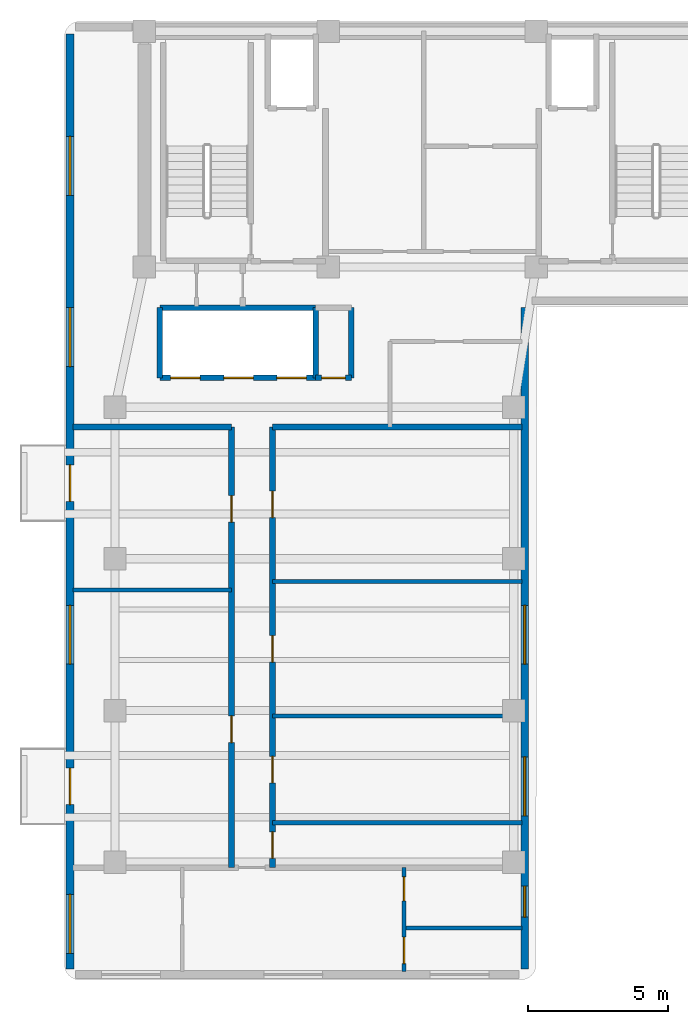
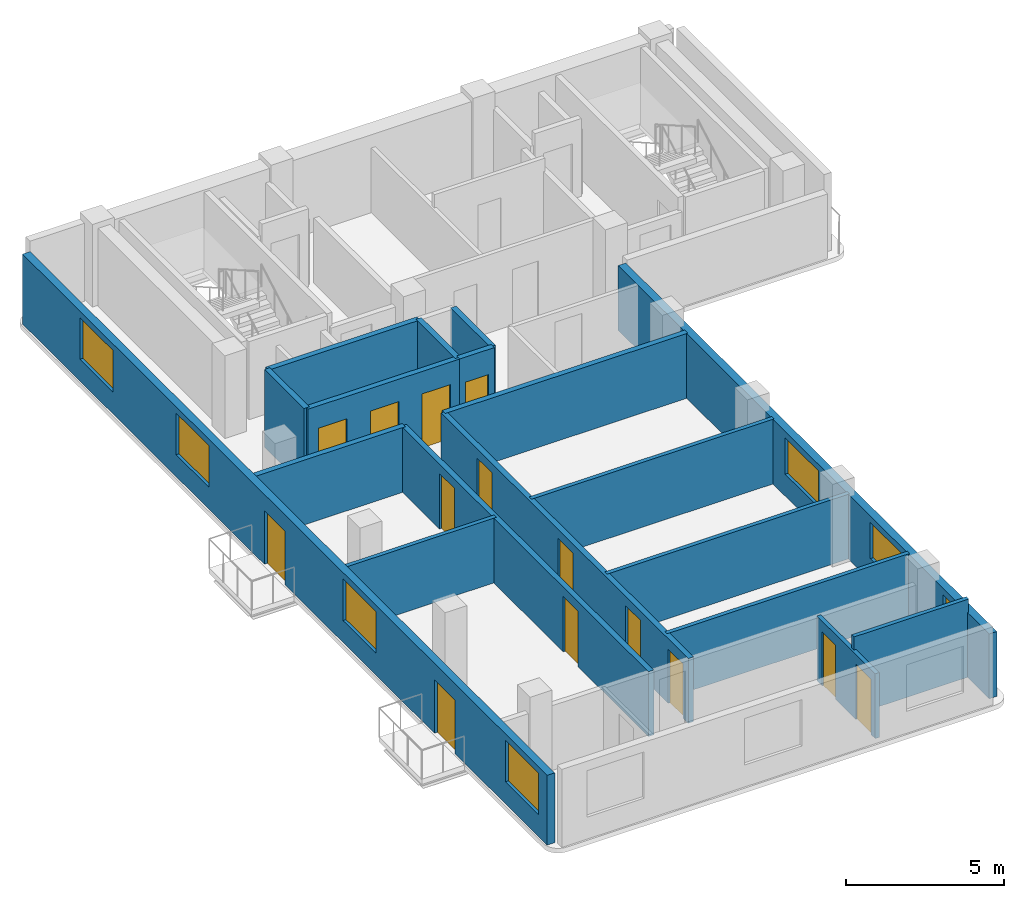
# One storey, part 2 of 6: 18 walls, 14 doors, 7 windows, 21 openings.
"""IFC4 building model written with IfcOpenShell, lengths in metres."""

from ifc_helpers import new_model, si_unit, direction, frame, frame_2d, origin, place, context, subcontext, project, spatial, rectangle, extrude, material, layer, layer_set, type_object, element, fill, save


model = new_model("IFC4")

# Units and contexts
model_context = context("Model", 3, precision=1e-05, world=origin(), true_north=direction((0.0, 1.0)))
body_context = subcontext(model_context, "Body", "Model", "MODEL_VIEW")
ifc_project = project(units=[si_unit("LENGTHUNIT", "METRE"), si_unit("AREAUNIT", "SQUARE_METRE"), si_unit("VOLUMEUNIT", "CUBIC_METRE"), si_unit("PLANEANGLEUNIT", "RADIAN"), si_unit("MASSUNIT", "GRAM", prefix="KILO")], contexts=[model_context])

# Site, building, storey
site_placement = place(None, origin())
site = spatial("IfcSite", under=ifc_project, at=site_placement, CompositionType="ELEMENT")
building_placement = place(site_placement, origin())
building = spatial("IfcBuilding", under=site, at=building_placement, Name="Kuzgunbayir Cultural Tower", CompositionType="ELEMENT")
storey_placement = place(building_placement, frame((0.0, 0.0, 221.60009765625)))
storey = spatial("IfcBuildingStorey", under=building, at=storey_placement, Name="L65", CompositionType="ELEMENT", Elevation=221.60009765625)

# Wall, openings, doors, windows
ifc_material_1 = material(Name="Anatolian Cream Limestone", Category="masonry")
ifc_layer_1 = layer(ifc_material_1, 0.280029296875)
ifc_layer_set_1 = layer_set([ifc_layer_1], Name="Anatolian Cream Limestone")
wall_type_1 = type_object("IfcWallType", Name="WAL-EXT-STONE-280", PredefinedType="STANDARD", material=ifc_layer_set_1)
wall_1_placement = place(storey_placement, frame((3.800048828125, 42.10009765625, 0.0), z_axis=(0.0, 0.0, 1.0), x_axis=(0.0, -1.0, 0.0)))
wall_1 = element("IfcWall", 1, at=wall_1_placement, inside=storey, type_object=wall_type_1, Name="L65 Wing A West Limestone Wall", PredefinedType="STANDARD", context=body_context, shape_type="SweptSolid", body=[
    extrude(rectangle(XDim=33.300048828125, YDim=0.280029296875, at=frame_2d((16.64990234375, 0.0))), origin(), (0.0, 0.0, 1.0), 2.7099609375),
])
opening_1_placement = place(wall_1_placement, frame((26.14990234375, 0.0, 0.0)))
opening_1 = element("IfcOpeningElement", 2, at=opening_1_placement, cuts=wall_1, Name="Opening BD-13", PredefinedType="OPENING", context=body_context, shape_type="SweptSolid", body=[
    extrude(rectangle(XDim=1.300048828125, YDim=2.080078125, at=frame_2d((0.64990234375, 1.0400390625))), frame((0.0, 0.14990234375, 0.0), z_axis=(0.0, -1.0, 0.0), x_axis=(1.0, 0.0, 0.0)), (0.0, 0.0, 1.0), 0.300048828125),
])
opening_2_placement = place(wall_1_placement, frame((15.35009765625, 0.0, 0.0)))
opening_2 = element("IfcOpeningElement", 3, at=opening_2_placement, cuts=wall_1, Name="Opening BD-13", PredefinedType="OPENING", context=body_context, shape_type="SweptSolid", body=[
    extrude(rectangle(XDim=1.300048828125, YDim=2.080078125, at=frame_2d((0.64990234375, 1.0400390625))), frame((0.0, 0.14990234375, 0.0), z_axis=(0.0, -1.0, 0.0), x_axis=(1.0, 0.0, 0.0)), (0.0, 0.0, 1.0), 0.300048828125),
])
opening_3_placement = place(wall_1_placement, frame((30.64990234375, 0.0, 0.85009765625)))
opening_3 = element("IfcOpeningElement", 4, at=opening_3_placement, cuts=wall_1, Name="Opening WR-21", PredefinedType="OPENING", context=body_context, shape_type="SweptSolid", body=[
    extrude(rectangle(XDim=2.10009765625, YDim=1.610107421875, at=frame_2d((1.050048828125, 0.80517578125))), frame((0.0, 0.14990234375, 0.0), z_axis=(0.0, -1.0, 0.0), x_axis=(1.0, 0.0, 0.0)), (0.0, 0.0, 1.0), 0.300048828125),
])
opening_4_placement = place(wall_1_placement, frame((20.35009765625, 0.0, 0.85009765625)))
opening_4 = element("IfcOpeningElement", 5, at=opening_4_placement, cuts=wall_1, Name="Opening WR-21", PredefinedType="OPENING", context=body_context, shape_type="SweptSolid", body=[
    extrude(rectangle(XDim=2.10009765625, YDim=1.610107421875, at=frame_2d((1.050048828125, 0.80517578125))), frame((0.0, 0.14990234375, 0.0), z_axis=(0.0, -1.0, 0.0), x_axis=(1.0, 0.0, 0.0)), (0.0, 0.0, 1.0), 0.300048828125),
])
opening_5_placement = place(wall_1_placement, frame((9.75, 0.0, 0.85009765625)))
opening_5 = element("IfcOpeningElement", 6, at=opening_5_placement, cuts=wall_1, Name="Opening WR-21", PredefinedType="OPENING", context=body_context, shape_type="SweptSolid", body=[
    extrude(rectangle(XDim=2.10009765625, YDim=1.610107421875, at=frame_2d((1.050048828125, 0.80517578125))), frame((0.0, 0.14990234375, 0.0), z_axis=(0.0, -1.0, 0.0), x_axis=(1.0, 0.0, 0.0)), (0.0, 0.0, 1.0), 0.300048828125),
])
opening_6_placement = place(wall_1_placement, frame((3.64990234375, 0.0, 0.85009765625)))
opening_6 = element("IfcOpeningElement", 7, at=opening_6_placement, cuts=wall_1, Name="Opening WR-21", PredefinedType="OPENING", context=body_context, shape_type="SweptSolid", body=[
    extrude(rectangle(XDim=2.10009765625, YDim=1.610107421875, at=frame_2d((1.050048828125, 0.80517578125))), frame((0.0, 0.14990234375, 0.0), z_axis=(0.0, -1.0, 0.0), x_axis=(1.0, 0.0, 0.0)), (0.0, 0.0, 1.0), 0.300048828125),
])
ifc_material_2 = material(Name="Thermally Broken Glazed Aluminium", Category="aluminium")
door_type_1 = type_object("IfcDoorType", Name="DR-BALCONY-135", OperationType="SLIDING_TO_LEFT", PredefinedType="DOOR", material=ifc_material_2)
door_1_placement = place(opening_1_placement, origin())
door_1 = element("IfcDoor", 8, at=door_1_placement, inside=storey, type_object=door_type_1, Name="L65 West Balcony Sliding Door BAL-L65-WA1", OperationType="SLIDING_TO_LEFT", OverallHeight=2.080078125, OverallWidth=1.300048828125, PredefinedType="DOOR", context=body_context, shape_type="SweptSolid", body=[
    extrude(rectangle(XDim=1.300048828125, YDim=2.080078125, at=frame_2d((0.64990234375, 1.0400390625))), frame((0.0, 0.02490234375, 0.0), z_axis=(0.0, -1.0, 0.0), x_axis=(1.0, 0.0, 0.0)), (0.0, 0.0, 1.0), 0.050048828125),
])
fill(opening_1, door_1)
door_2_placement = place(opening_2_placement, origin())
door_2 = element("IfcDoor", 9, at=door_2_placement, inside=storey, type_object=door_type_1, Name="L65 West Balcony Sliding Door BAL-L65-WA3", OperationType="SLIDING_TO_LEFT", OverallHeight=2.080078125, OverallWidth=1.300048828125, PredefinedType="DOOR", context=body_context, shape_type="SweptSolid", body=[
    extrude(rectangle(XDim=1.300048828125, YDim=2.080078125, at=frame_2d((0.64990234375, 1.0400390625))), frame((0.0, 0.02490234375, 0.0), z_axis=(0.0, -1.0, 0.0), x_axis=(1.0, 0.0, 0.0)), (0.0, 0.0, 1.0), 0.050048828125),
])
fill(opening_2, door_2)
ifc_material_3 = material(Name="Solar-Control Triple Glazing", Category="glass")
window_type_1 = type_object("IfcWindowType", Name="WIN-RESID-21", PartitioningType="SINGLE_PANEL", PredefinedType="WINDOW", material=ifc_material_3)
window_1_placement = place(opening_3_placement, origin())
window_1 = element("IfcWindow", 10, at=window_1_placement, inside=storey, type_object=window_type_1, Name="L65 WAW Facade Window 5", OverallHeight=1.610107421875, OverallWidth=2.10009765625, PartitioningType="SINGLE_PANEL", PredefinedType="WINDOW", context=body_context, shape_type="SweptSolid", body=[
    extrude(rectangle(XDim=2.10009765625, YDim=1.610107421875, at=frame_2d((1.050048828125, 0.80517578125))), frame((0.0, 0.030029296875, 0.0), z_axis=(0.0, -1.0, 0.0), x_axis=(1.0, 0.0, 0.0)), (0.0, 0.0, 1.0), 0.06005859375),
])
fill(opening_3, window_1)
window_2_placement = place(opening_4_placement, origin())
window_2 = element("IfcWindow", 11, at=window_2_placement, inside=storey, type_object=window_type_1, Name="L65 WAW Facade Window 6", OverallHeight=1.610107421875, OverallWidth=2.10009765625, PartitioningType="SINGLE_PANEL", PredefinedType="WINDOW", context=body_context, shape_type="SweptSolid", body=[
    extrude(rectangle(XDim=2.10009765625, YDim=1.610107421875, at=frame_2d((1.050048828125, 0.80517578125))), frame((0.0, 0.030029296875, 0.0), z_axis=(0.0, -1.0, 0.0), x_axis=(1.0, 0.0, 0.0)), (0.0, 0.0, 1.0), 0.06005859375),
])
fill(opening_4, window_2)
window_3_placement = place(opening_5_placement, origin())
window_3 = element("IfcWindow", 12, at=window_3_placement, inside=storey, type_object=window_type_1, Name="L65 WAW Facade Window 7", OverallHeight=1.610107421875, OverallWidth=2.10009765625, PartitioningType="SINGLE_PANEL", PredefinedType="WINDOW", context=body_context, shape_type="SweptSolid", body=[
    extrude(rectangle(XDim=2.10009765625, YDim=1.610107421875, at=frame_2d((1.050048828125, 0.80517578125))), frame((0.0, 0.030029296875, 0.0), z_axis=(0.0, -1.0, 0.0), x_axis=(1.0, 0.0, 0.0)), (0.0, 0.0, 1.0), 0.06005859375),
])
fill(opening_5, window_3)
window_4_placement = place(opening_6_placement, origin())
window_4 = element("IfcWindow", 13, at=window_4_placement, inside=storey, type_object=window_type_1, Name="L65 WAW Facade Window 8", OverallHeight=1.610107421875, OverallWidth=2.10009765625, PartitioningType="SINGLE_PANEL", PredefinedType="WINDOW", context=body_context, shape_type="SweptSolid", body=[
    extrude(rectangle(XDim=2.10009765625, YDim=1.610107421875, at=frame_2d((1.050048828125, 0.80517578125))), frame((0.0, 0.030029296875, 0.0), z_axis=(0.0, -1.0, 0.0), x_axis=(1.0, 0.0, 0.0)), (0.0, 0.0, 1.0), 0.06005859375),
])
fill(opening_6, window_4)

# Wall, openings, windows
wall_2_placement = place(storey_placement, frame((20.0, 8.800048828125, 0.0), z_axis=(0.0, 0.0, 1.0), x_axis=(0.0, 1.0, 0.0)))
wall_2 = element("IfcWall", 14, at=wall_2_placement, inside=storey, type_object=wall_type_1, Name="L65 Wing A East Limestone Wall", PredefinedType="STANDARD", context=body_context, shape_type="SweptSolid", body=[
    extrude(rectangle(XDim=23.550048828125, YDim=0.280029296875, at=frame_2d((11.77490234375, 0.0))), origin(), (0.0, 0.0, 1.0), 2.510009765625),
])
opening_7_placement = place(wall_2_placement, frame((1.840087890625, 0.0, 0.85009765625)))
opening_7 = element("IfcOpeningElement", 15, at=opening_7_placement, cuts=wall_2, Name="Opening WN-11", PredefinedType="OPENING", context=body_context, shape_type="SweptSolid", body=[
    extrude(rectangle(XDim=1.10009765625, YDim=1.409912109375, at=frame_2d((0.550048828125, 0.705078125))), frame((0.0, 0.14990234375, 0.0), z_axis=(0.0, -1.0, 0.0), x_axis=(1.0, 0.0, 0.0)), (0.0, 0.0, 1.0), 0.300048828125),
])
opening_8_placement = place(wall_2_placement, frame((5.449951171875, 0.0, 0.85009765625)))
opening_8 = element("IfcOpeningElement", 16, at=opening_8_placement, cuts=wall_2, Name="Opening WR-21", PredefinedType="OPENING", context=body_context, shape_type="SweptSolid", body=[
    extrude(rectangle(XDim=2.10009765625, YDim=1.409912109375, at=frame_2d((1.050048828125, 0.705078125))), frame((0.0, 0.14990234375, 0.0), z_axis=(0.0, -1.0, 0.0), x_axis=(1.0, 0.0, 0.0)), (0.0, 0.0, 1.0), 0.300048828125),
])
opening_9_placement = place(wall_2_placement, frame((10.85009765625, 0.0, 0.85009765625)))
opening_9 = element("IfcOpeningElement", 17, at=opening_9_placement, cuts=wall_2, Name="Opening WR-21", PredefinedType="OPENING", context=body_context, shape_type="SweptSolid", body=[
    extrude(rectangle(XDim=2.10009765625, YDim=1.409912109375, at=frame_2d((1.050048828125, 0.705078125))), frame((0.0, 0.14990234375, 0.0), z_axis=(0.0, -1.0, 0.0), x_axis=(1.0, 0.0, 0.0)), (0.0, 0.0, 1.0), 0.300048828125),
])
window_type_2 = type_object("IfcWindowType", Name="WIN-NARROW-11", PartitioningType="SINGLE_PANEL", PredefinedType="WINDOW", material=ifc_material_3)
window_5_placement = place(opening_7_placement, origin())
window_5 = element("IfcWindow", 18, at=window_5_placement, inside=storey, type_object=window_type_2, Name="L65 WAE Facade Window 4", OverallHeight=1.409912109375, OverallWidth=1.10009765625, PartitioningType="SINGLE_PANEL", PredefinedType="WINDOW", context=body_context, shape_type="SweptSolid", body=[
    extrude(rectangle(XDim=1.10009765625, YDim=1.409912109375, at=frame_2d((0.550048828125, 0.705078125))), frame((0.0, 0.030029296875, 0.0), z_axis=(0.0, -1.0, 0.0), x_axis=(1.0, 0.0, 0.0)), (0.0, 0.0, 1.0), 0.06005859375),
])
fill(opening_7, window_5)
window_6_placement = place(opening_8_placement, origin())
window_6 = element("IfcWindow", 19, at=window_6_placement, inside=storey, type_object=window_type_1, Name="L65 WAE Facade Window 9", OverallHeight=1.409912109375, OverallWidth=2.10009765625, PartitioningType="SINGLE_PANEL", PredefinedType="WINDOW", context=body_context, shape_type="SweptSolid", body=[
    extrude(rectangle(XDim=2.10009765625, YDim=1.409912109375, at=frame_2d((1.050048828125, 0.705078125))), frame((0.0, 0.030029296875, 0.0), z_axis=(0.0, -1.0, 0.0), x_axis=(1.0, 0.0, 0.0)), (0.0, 0.0, 1.0), 0.06005859375),
])
fill(opening_8, window_6)
window_7_placement = place(opening_9_placement, origin())
window_7 = element("IfcWindow", 20, at=window_7_placement, inside=storey, type_object=window_type_1, Name="L65 WAE Facade Window 10", OverallHeight=1.409912109375, OverallWidth=2.10009765625, PartitioningType="SINGLE_PANEL", PredefinedType="WINDOW", context=body_context, shape_type="SweptSolid", body=[
    extrude(rectangle(XDim=2.10009765625, YDim=1.409912109375, at=frame_2d((1.050048828125, 0.705078125))), frame((0.0, 0.030029296875, 0.0), z_axis=(0.0, -1.0, 0.0), x_axis=(1.0, 0.0, 0.0)), (0.0, 0.0, 1.0), 0.06005859375),
])
fill(opening_9, window_7)

# Walls
ifc_material_4 = material(Name="Acoustic Double-Stud Drywall", Category="gypsum")
ifc_layer_2 = layer(ifc_material_4, 0.14990234375)
ifc_layer_set_2 = layer_set([ifc_layer_2], Name="Acoustic Double-Stud Drywall")
wall_type_2 = type_object("IfcWallType", Name="WAL-PART-ACOUSTIC-150", PredefinedType="PARTITIONING", material=ifc_layer_set_2)
wall_3_placement = place(storey_placement, frame((3.89990234375, 22.2900390625, 0.0), z_axis=(0.0, 0.0, 1.0), x_axis=(1.0, 0.0, 0.0)))
element("IfcWall", 21, at=wall_3_placement, inside=storey, type_object=wall_type_2, Name="L65 West Study Partition 1", PredefinedType="PARTITIONING", context=body_context, shape_type="SweptSolid", body=[
    extrude(rectangle(XDim=5.650146484375, YDim=0.14990234375, at=frame_2d((2.8251953125, 0.0))), origin(), (0.0, 0.0, 1.0), 2.510009765625),
])
for number, where, z_axis, x_axis, name in (
    (22, (11.010009765625, 17.81005859375, 0.0), (0.0, 0.0, 1.0), (1.0, 0.0, 0.0), "L65 East Divider 1"),
    (23, (11.010009765625, 22.60009765625, 0.0), (0.0, 0.0, 1.0), (1.0, 0.0, 0.0), "L65 East Divider 2"),
):
    element("IfcWall", number, at=place(storey_placement, frame(where, z_axis=z_axis, x_axis=x_axis)), inside=storey, type_object=wall_type_2, Name=name, PredefinedType="PARTITIONING", context=body_context, shape_type="SweptSolid", body=[
        extrude(rectangle(XDim=8.889892578125, YDim=0.14990234375, at=frame_2d((4.44482421875, 0.0))), origin(), (0.0, 0.0, 1.0), 2.510009765625),
    ])

# Wall, opening, door
ifc_material_5 = material(Name="Aerated Concrete Blockwork", Category="masonry")
ifc_layer_3 = layer(ifc_material_5, 0.199951171875)
ifc_layer_set_3 = layer_set([ifc_layer_3], Name="Aerated Concrete Blockwork")
wall_type_3 = type_object("IfcWallType", Name="WAL-PART-FIRE-200", PredefinedType="PARTITIONING", material=ifc_layer_set_3)
wall_4_placement = place(storey_placement, frame((12.550048828125, 29.85009765625, 0.0), z_axis=(0.0, 0.0, 1.0), x_axis=(1.0, 0.0, 0.0)))
wall_4 = element("IfcWall", 24, at=wall_4_placement, inside=storey, type_object=wall_type_3, Name="L65 Center Core Switchgear South Wall", PredefinedType="PARTITIONING", context=body_context, shape_type="SweptSolid", body=[
    extrude(rectangle(XDim=1.27001953125, YDim=0.199951171875, at=frame_2d((0.635009765625, 0.0))), origin(), (0.0, 0.0, 1.0), 3.02001953125),
])
opening_10_placement = place(wall_4_placement, frame((0.2099609375, 0.0, 0.0)))
opening_10 = element("IfcOpeningElement", 25, at=opening_10_placement, cuts=wall_4, Name="Opening DR-RSR-60", PredefinedType="OPENING", context=body_context, shape_type="SweptSolid", body=[
    extrude(rectangle(XDim=0.85009765625, YDim=2.050048828125, at=frame_2d((0.425048828125, 1.02490234375))), frame((0.0, 0.10986328125, 0.0), z_axis=(0.0, -1.0, 0.0), x_axis=(1.0, 0.0, 0.0)), (0.0, 0.0, 1.0), 0.219970703125),
])
ifc_material_6 = material(Name="Steel Access Leaf", Category="steel")
door_type_2 = type_object("IfcDoorType", Name="DR-RISER-60", OperationType="NOTDEFINED", PredefinedType="DOOR", material=ifc_material_6)
door_3_placement = place(opening_10_placement, origin())
door_3 = element("IfcDoor", 26, at=door_3_placement, inside=storey, type_object=door_type_2, Name="L65 Telecom Closet Door", OperationType="SINGLE_SWING_RIGHT", OverallHeight=2.050048828125, OverallWidth=0.85009765625, PredefinedType="DOOR", context=body_context, shape_type="SweptSolid", body=[
    extrude(rectangle(XDim=0.85009765625, YDim=2.050048828125, at=frame_2d((0.425048828125, 1.02490234375))), frame((0.0, 0.02490234375, 0.0), z_axis=(0.0, -1.0, 0.0), x_axis=(1.0, 0.0, 0.0)), (0.0, 0.0, 1.0), 0.050048828125),
])
fill(opening_10, door_3)

# Wall
wall_5_placement = place(storey_placement, frame((13.820068359375, 29.85009765625, 0.0), z_axis=(0.0, 0.0, 1.0), x_axis=(0.0, 1.0, 0.0)))
element("IfcWall", 27, at=wall_5_placement, inside=storey, type_object=wall_type_3, Name="L65 Center Core Switchgear East Wall", PredefinedType="PARTITIONING", context=body_context, shape_type="SweptSolid", body=[
    extrude(rectangle(XDim=2.5, YDim=0.199951171875, at=frame_2d((1.25, 0.0))), origin(), (0.0, 0.0, 1.0), 3.02001953125),
])

# Wall, openings, doors
wall_6_placement = place(storey_placement, frame((9.550048828125, 12.39990234375, 0.0), z_axis=(0.0, 0.0, 1.0), x_axis=(0.0, 1.0, 0.0)))
wall_6 = element("IfcWall", 28, at=wall_6_placement, inside=storey, type_object=wall_type_3, Name="L65 Wing A West Corridor Wall", PredefinedType="PARTITIONING", context=body_context, shape_type="SweptSolid", body=[
    extrude(rectangle(XDim=15.7001953125, YDim=0.199951171875, at=frame_2d((7.85009765625, 0.0))), origin(), (0.0, 0.0, 1.0), 2.510009765625),
])
opening_11_placement = place(wall_6_placement, frame((4.4599609375, 0.0, 0.0)))
opening_11 = element("IfcOpeningElement", 29, at=opening_11_placement, cuts=wall_6, Name="Opening DI-90", PredefinedType="OPENING", context=body_context, shape_type="SweptSolid", body=[
    extrude(rectangle(XDim=0.949951171875, YDim=2.14990234375, at=frame_2d((0.47509765625, 1.074951171875))), frame((0.0, 0.10986328125, 0.0), z_axis=(0.0, -1.0, 0.0), x_axis=(1.0, 0.0, 0.0)), (0.0, 0.0, 1.0), 0.219970703125),
])
opening_12_placement = place(wall_6_placement, frame((12.31005859375, 0.0, 0.0)))
opening_12 = element("IfcOpeningElement", 30, at=opening_12_placement, cuts=wall_6, Name="Opening DI-90", PredefinedType="OPENING", context=body_context, shape_type="SweptSolid", body=[
    extrude(rectangle(XDim=0.949951171875, YDim=2.14990234375, at=frame_2d((0.47509765625, 1.074951171875))), frame((0.0, 0.10986328125, 0.0), z_axis=(0.0, -1.0, 0.0), x_axis=(1.0, 0.0, 0.0)), (0.0, 0.0, 1.0), 0.219970703125),
])
ifc_material_7 = material(Name="Veneered Oak Single Leaf", Category="wood")
door_type_3 = type_object("IfcDoorType", Name="DR-INT-90", OperationType="NOTDEFINED", PredefinedType="DOOR", material=ifc_material_7)
door_4_placement = place(opening_11_placement, origin())
door_4 = element("IfcDoor", 31, at=door_4_placement, inside=storey, type_object=door_type_3, Name="L65 Fellows Reading Lounge W1 Door", OperationType="SINGLE_SWING_LEFT", OverallHeight=2.14990234375, OverallWidth=0.949951171875, PredefinedType="DOOR", context=body_context, shape_type="SweptSolid", body=[
    extrude(rectangle(XDim=0.949951171875, YDim=2.14990234375, at=frame_2d((0.47509765625, 1.074951171875))), frame((0.0, 0.02490234375, 0.0), z_axis=(0.0, -1.0, 0.0), x_axis=(1.0, 0.0, 0.0)), (0.0, 0.0, 1.0), 0.050048828125),
])
fill(opening_11, door_4)
door_5_placement = place(opening_12_placement, origin())
door_5 = element("IfcDoor", 32, at=door_5_placement, inside=storey, type_object=door_type_3, Name="L65 Seminar Boardroom W2 Door", OperationType="SINGLE_SWING_RIGHT", OverallHeight=2.14990234375, OverallWidth=0.949951171875, PredefinedType="DOOR", context=body_context, shape_type="SweptSolid", body=[
    extrude(rectangle(XDim=0.949951171875, YDim=2.14990234375, at=frame_2d((0.47509765625, 1.074951171875))), frame((0.0, 0.02490234375, 0.0), z_axis=(0.0, -1.0, 0.0), x_axis=(1.0, 0.0, 0.0)), (0.0, 0.0, 1.0), 0.050048828125),
])
fill(opening_12, door_5)

wall_7_placement = place(storey_placement, frame((11.010009765625, 12.39990234375, 0.0), z_axis=(0.0, 0.0, 1.0), x_axis=(0.0, 1.0, 0.0)))
wall_7 = element("IfcWall", 33, at=wall_7_placement, inside=storey, type_object=wall_type_3, Name="L65 Wing A East Corridor Wall", PredefinedType="PARTITIONING", context=body_context, shape_type="SweptSolid", body=[
    extrude(rectangle(XDim=15.7001953125, YDim=0.199951171875, at=frame_2d((7.85009765625, 0.0))), origin(), (0.0, 0.0, 1.0), 2.510009765625),
])
opening_13_placement = place(wall_7_placement, frame((0.330078125, 0.0, 0.0)))
opening_13 = element("IfcOpeningElement", 34, at=opening_13_placement, cuts=wall_7, Name="Opening DW-95", PredefinedType="OPENING", context=body_context, shape_type="SweptSolid", body=[
    extrude(rectangle(XDim=0.949951171875, YDim=2.10009765625, at=frame_2d((0.47509765625, 1.050048828125))), frame((0.0, 0.10986328125, 0.0), z_axis=(0.0, -1.0, 0.0), x_axis=(1.0, 0.0, 0.0)), (0.0, 0.0, 1.0), 0.219970703125),
])
opening_14_placement = place(wall_7_placement, frame((3.02001953125, 0.0, 0.0)))
opening_14 = element("IfcOpeningElement", 35, at=opening_14_placement, cuts=wall_7, Name="Opening DI-90", PredefinedType="OPENING", context=body_context, shape_type="SweptSolid", body=[
    extrude(rectangle(XDim=0.949951171875, YDim=2.14990234375, at=frame_2d((0.47509765625, 1.074951171875))), frame((0.0, 0.10986328125, 0.0), z_axis=(0.0, -1.0, 0.0), x_axis=(1.0, 0.0, 0.0)), (0.0, 0.0, 1.0), 0.219970703125),
])
opening_15_placement = place(wall_7_placement, frame((7.320068359375, 0.0, 0.0)))
opening_15 = element("IfcOpeningElement", 36, at=opening_15_placement, cuts=wall_7, Name="Opening DI-90", PredefinedType="OPENING", context=body_context, shape_type="SweptSolid", body=[
    extrude(rectangle(XDim=0.949951171875, YDim=2.14990234375, at=frame_2d((0.47509765625, 1.074951171875))), frame((0.0, 0.10986328125, 0.0), z_axis=(0.0, -1.0, 0.0), x_axis=(1.0, 0.0, 0.0)), (0.0, 0.0, 1.0), 0.219970703125),
])
opening_16_placement = place(wall_7_placement, frame((12.469970703125, 0.0, 0.0)))
opening_16 = element("IfcOpeningElement", 37, at=opening_16_placement, cuts=wall_7, Name="Opening DI-90", PredefinedType="OPENING", context=body_context, shape_type="SweptSolid", body=[
    extrude(rectangle(XDim=0.949951171875, YDim=2.14990234375, at=frame_2d((0.47509765625, 1.074951171875))), frame((0.0, 0.10986328125, 0.0), z_axis=(0.0, -1.0, 0.0), x_axis=(1.0, 0.0, 0.0)), (0.0, 0.0, 1.0), 0.219970703125),
])
door_6_placement = place(opening_14_placement, origin())
door_6 = element("IfcDoor", 38, at=door_6_placement, inside=storey, type_object=door_type_3, Name="L65 East Fellows Reading Lounge E1 Door", OperationType="SINGLE_SWING_RIGHT", OverallHeight=2.14990234375, OverallWidth=0.949951171875, PredefinedType="DOOR", context=body_context, shape_type="SweptSolid", body=[
    extrude(rectangle(XDim=0.949951171875, YDim=2.14990234375, at=frame_2d((0.47509765625, 1.074951171875))), frame((0.0, 0.02490234375, 0.0), z_axis=(0.0, -1.0, 0.0), x_axis=(1.0, 0.0, 0.0)), (0.0, 0.0, 1.0), 0.050048828125),
])
fill(opening_14, door_6)
door_7_placement = place(opening_15_placement, origin())
door_7 = element("IfcDoor", 39, at=door_7_placement, inside=storey, type_object=door_type_3, Name="L65 East Culinary Tasting Pantry E2 Door", OperationType="SINGLE_SWING_LEFT", OverallHeight=2.14990234375, OverallWidth=0.949951171875, PredefinedType="DOOR", context=body_context, shape_type="SweptSolid", body=[
    extrude(rectangle(XDim=0.949951171875, YDim=2.14990234375, at=frame_2d((0.47509765625, 1.074951171875))), frame((0.0, 0.02490234375, 0.0), z_axis=(0.0, -1.0, 0.0), x_axis=(1.0, 0.0, 0.0)), (0.0, 0.0, 1.0), 0.050048828125),
])
fill(opening_15, door_7)
door_8_placement = place(opening_16_placement, origin())
door_8 = element("IfcDoor", 40, at=door_8_placement, inside=storey, type_object=door_type_3, Name="L65 East Fellows Reading Lounge E3 Door", OperationType="SINGLE_SWING_RIGHT", OverallHeight=2.14990234375, OverallWidth=0.949951171875, PredefinedType="DOOR", context=body_context, shape_type="SweptSolid", body=[
    extrude(rectangle(XDim=0.949951171875, YDim=2.14990234375, at=frame_2d((0.47509765625, 1.074951171875))), frame((0.0, 0.02490234375, 0.0), z_axis=(0.0, -1.0, 0.0), x_axis=(1.0, 0.0, 0.0)), (0.0, 0.0, 1.0), 0.050048828125),
])
fill(opening_16, door_8)
ifc_material_8 = material(Name="Laminate Moisture-Resistant Leaf", Category="wood")
door_type_4 = type_object("IfcDoorType", Name="DR-WET-95", OperationType="NOTDEFINED", PredefinedType="DOOR", material=ifc_material_8)
door_9_placement = place(opening_13_placement, origin())
door_9 = element("IfcDoor", 41, at=door_9_placement, inside=storey, type_object=door_type_4, Name="L65 Visitor Accessible WC Door", OperationType="SINGLE_SWING_LEFT", OverallHeight=2.10009765625, OverallWidth=0.949951171875, PredefinedType="DOOR", context=body_context, shape_type="SweptSolid", body=[
    extrude(rectangle(XDim=0.949951171875, YDim=2.10009765625, at=frame_2d((0.47509765625, 1.050048828125))), frame((0.0, 0.02490234375, 0.0), z_axis=(0.0, -1.0, 0.0), x_axis=(1.0, 0.0, 0.0)), (0.0, 0.0, 1.0), 0.050048828125),
])
fill(opening_13, door_9)

# Walls
wall_8_placement = place(storey_placement, frame((3.89990234375, 28.10009765625, 0.0), z_axis=(0.0, 0.0, 1.0), x_axis=(1.0, 0.0, 0.0)))
element("IfcWall", 42, at=wall_8_placement, inside=storey, type_object=wall_type_3, Name="L65 North West Partition", PredefinedType="PARTITIONING", context=body_context, shape_type="SweptSolid", body=[
    extrude(rectangle(XDim=5.650146484375, YDim=0.199951171875, at=frame_2d((2.8251953125, 0.0))), origin(), (0.0, 0.0, 1.0), 2.510009765625),
])
wall_9_placement = place(storey_placement, frame((11.010009765625, 28.10009765625, 0.0), z_axis=(0.0, 0.0, 1.0), x_axis=(1.0, 0.0, 0.0)))
element("IfcWall", 43, at=wall_9_placement, inside=storey, type_object=wall_type_3, Name="L65 North East Partition", PredefinedType="PARTITIONING", context=body_context, shape_type="SweptSolid", body=[
    extrude(rectangle(XDim=8.889892578125, YDim=0.199951171875, at=frame_2d((4.44482421875, 0.0))), origin(), (0.0, 0.0, 1.0), 2.510009765625),
])

# Wall, openings, doors
ifc_material_9 = material(Name="Moisture-Resistant Tile Partition", Category="gypsum")
ifc_layer_4 = layer(ifc_material_9, 0.14990234375)
ifc_layer_set_4 = layer_set([ifc_layer_4], Name="Moisture-Resistant Tile Partition")
wall_type_4 = type_object("IfcWallType", Name="WAL-PART-WET-150", PredefinedType="PARTITIONING", material=ifc_layer_set_4)
wall_10_placement = place(storey_placement, frame((15.699951171875, 8.699951171875, 0.0), z_axis=(0.0, 0.0, 1.0), x_axis=(0.0, 1.0, 0.0)))
wall_10 = element("IfcWall", 44, at=wall_10_placement, inside=storey, type_object=wall_type_4, Name="L65 Flat A East Service Wall", PredefinedType="PARTITIONING", context=body_context, shape_type="SweptSolid", body=[
    extrude(rectangle(XDim=3.699951171875, YDim=0.14990234375, at=frame_2d((1.85009765625, 0.0))), origin(), (0.0, 0.0, 1.0), 2.510009765625),
])
opening_17_placement = place(wall_10_placement, frame((0.280029296875, 0.0, 0.0)))
opening_17 = element("IfcOpeningElement", 45, at=opening_17_placement, cuts=wall_10, Name="Opening DI-90", PredefinedType="OPENING", context=body_context, shape_type="SweptSolid", body=[
    extrude(rectangle(XDim=0.949951171875, YDim=2.14990234375, at=frame_2d((0.47509765625, 1.074951171875))), frame((0.0, 0.0849609375, 0.0), z_axis=(0.0, -1.0, 0.0), x_axis=(1.0, 0.0, 0.0)), (0.0, 0.0, 1.0), 0.169921875),
])
opening_18_placement = place(wall_10_placement, frame((2.52001953125, 0.0, 0.0)))
opening_18 = element("IfcOpeningElement", 46, at=opening_18_placement, cuts=wall_10, Name="Opening DW-85", PredefinedType="OPENING", context=body_context, shape_type="SweptSolid", body=[
    extrude(rectangle(XDim=0.85009765625, YDim=2.10009765625, at=frame_2d((0.425048828125, 1.050048828125))), frame((0.0, 0.0849609375, 0.0), z_axis=(0.0, -1.0, 0.0), x_axis=(1.0, 0.0, 0.0)), (0.0, 0.0, 1.0), 0.169921875),
])
door_10_placement = place(opening_17_placement, origin())
door_10 = element("IfcDoor", 47, at=door_10_placement, inside=storey, type_object=door_type_3, Name="L65 Apartment A Kitchen Door", OperationType="SINGLE_SWING_LEFT", OverallHeight=2.14990234375, OverallWidth=0.949951171875, PredefinedType="DOOR", context=body_context, shape_type="SweptSolid", body=[
    extrude(rectangle(XDim=0.949951171875, YDim=2.14990234375, at=frame_2d((0.47509765625, 1.074951171875))), frame((0.0, 0.02490234375, 0.0), z_axis=(0.0, -1.0, 0.0), x_axis=(1.0, 0.0, 0.0)), (0.0, 0.0, 1.0), 0.050048828125),
])
fill(opening_17, door_10)
door_type_5 = type_object("IfcDoorType", Name="DR-WET-85", OperationType="NOTDEFINED", PredefinedType="DOOR", material=ifc_material_8)
door_11_placement = place(opening_18_placement, origin())
door_11 = element("IfcDoor", 48, at=door_11_placement, inside=storey, type_object=door_type_5, Name="L65 Apartment A Bathroom Door", OperationType="SINGLE_SWING_RIGHT", OverallHeight=2.10009765625, OverallWidth=0.85009765625, PredefinedType="DOOR", context=body_context, shape_type="SweptSolid", body=[
    extrude(rectangle(XDim=0.85009765625, YDim=2.10009765625, at=frame_2d((0.425048828125, 1.050048828125))), frame((0.0, 0.02490234375, 0.0), z_axis=(0.0, -1.0, 0.0), x_axis=(1.0, 0.0, 0.0)), (0.0, 0.0, 1.0), 0.050048828125),
])
fill(opening_18, door_11)

# Walls
wall_11_placement = place(storey_placement, frame((15.699951171875, 10.25, 0.0), z_axis=(0.0, 0.0, 1.0), x_axis=(1.0, 0.0, 0.0)))
element("IfcWall", 49, at=wall_11_placement, inside=storey, type_object=wall_type_4, Name="L65 Flat A Bath Kitchen Divider", PredefinedType="PARTITIONING", context=body_context, shape_type="SweptSolid", body=[
    extrude(rectangle(XDim=4.199951171875, YDim=0.14990234375, at=frame_2d((2.10009765625, 0.0))), origin(), (0.0, 0.0, 1.0), 3.02001953125),
])
wall_12_placement = place(storey_placement, frame((11.010009765625, 14.0, 0.0), z_axis=(0.0, 0.0, 1.0), x_axis=(1.0, 0.0, 0.0)))
element("IfcWall", 50, at=wall_12_placement, inside=storey, type_object=wall_type_4, Name="L65 East Accessible WC Wall", PredefinedType="PARTITIONING", context=body_context, shape_type="SweptSolid", body=[
    extrude(rectangle(XDim=8.889892578125, YDim=0.14990234375, at=frame_2d((4.44482421875, 0.0))), origin(), (0.0, 0.0, 1.0), 2.510009765625),
])

# Wall, openings, doors
ifc_material_10 = material(Name="Concrete C40/50", Category="concrete")
ifc_layer_5 = layer(ifc_material_10, 0.199951171875)
ifc_layer_set_5 = layer_set([ifc_layer_5], Name="Concrete C40/50")
wall_type_5 = type_object("IfcWallType", Name="WAL-SHAFT-200", PredefinedType="MOVABLE", material=ifc_layer_set_5)
wall_13_placement = place(storey_placement, frame((7.0, 29.85009765625, 0.0), z_axis=(0.0, 0.0, 1.0), x_axis=(1.0, 0.0, 0.0)))
wall_13 = element("IfcWall", 51, at=wall_13_placement, inside=storey, type_object=wall_type_5, Name="L65 High-Rise Lift Shaft South Wall", PredefinedType="MOVABLE", context=body_context, shape_type="SweptSolid", body=[
    extrude(rectangle(XDim=5.550048828125, YDim=0.199951171875, at=frame_2d((2.77490234375, 0.0))), origin(), (0.0, 0.0, 1.0), 3.02001953125),
])
opening_19_placement = place(wall_13_placement, frame((0.3798828125, 0.0, 0.0)))
opening_19 = element("IfcOpeningElement", 52, at=opening_19_placement, cuts=wall_13, Name="Opening LD", PredefinedType="OPENING", context=body_context, shape_type="SweptSolid", body=[
    extrude(rectangle(XDim=1.050048828125, YDim=2.14990234375, at=frame_2d((0.52490234375, 1.074951171875))), frame((0.0, 0.10986328125, 0.0), z_axis=(0.0, -1.0, 0.0), x_axis=(1.0, 0.0, 0.0)), (0.0, 0.0, 1.0), 0.219970703125),
])
opening_20_placement = place(wall_13_placement, frame((2.280029296875, 0.0, 0.0)))
opening_20 = element("IfcOpeningElement", 53, at=opening_20_placement, cuts=wall_13, Name="Opening LD", PredefinedType="OPENING", context=body_context, shape_type="SweptSolid", body=[
    extrude(rectangle(XDim=1.050048828125, YDim=2.14990234375, at=frame_2d((0.52490234375, 1.074951171875))), frame((0.0, 0.10986328125, 0.0), z_axis=(0.0, -1.0, 0.0), x_axis=(1.0, 0.0, 0.0)), (0.0, 0.0, 1.0), 0.219970703125),
])
opening_21_placement = place(wall_13_placement, frame((4.169921875, 0.0, 0.0)))
opening_21 = element("IfcOpeningElement", 54, at=opening_21_placement, cuts=wall_13, Name="Opening LD", PredefinedType="OPENING", context=body_context, shape_type="SweptSolid", body=[
    extrude(rectangle(XDim=1.050048828125, YDim=2.14990234375, at=frame_2d((0.52490234375, 1.074951171875))), frame((0.0, 0.10986328125, 0.0), z_axis=(0.0, -1.0, 0.0), x_axis=(1.0, 0.0, 0.0)), (0.0, 0.0, 1.0), 0.219970703125),
])
ifc_material_11 = material(Name="Brushed Stainless Steel", Category="steel")
door_type_6 = type_object("IfcDoorType", Name="DR-LIFT-LANDING", OperationType="SLIDING_TO_LEFT", PredefinedType="DOOR", material=ifc_material_11)
door_12_placement = place(opening_19_placement, origin())
door_12 = element("IfcDoor", 55, at=door_12_placement, inside=storey, type_object=door_type_6, Name="L65 Lift PH-1 Landing Door", OperationType="SLIDING_TO_LEFT", OverallHeight=2.14990234375, OverallWidth=1.050048828125, PredefinedType="DOOR", context=body_context, shape_type="SweptSolid", body=[
    extrude(rectangle(XDim=1.050048828125, YDim=2.14990234375, at=frame_2d((0.52490234375, 1.074951171875))), frame((0.0, 0.02490234375, 0.0), z_axis=(0.0, -1.0, 0.0), x_axis=(1.0, 0.0, 0.0)), (0.0, 0.0, 1.0), 0.050048828125),
])
fill(opening_19, door_12)
door_13_placement = place(opening_20_placement, origin())
door_13 = element("IfcDoor", 56, at=door_13_placement, inside=storey, type_object=door_type_6, Name="L65 Lift PH-2 Landing Door", OperationType="SLIDING_TO_LEFT", OverallHeight=2.14990234375, OverallWidth=1.050048828125, PredefinedType="DOOR", context=body_context, shape_type="SweptSolid", body=[
    extrude(rectangle(XDim=1.050048828125, YDim=2.14990234375, at=frame_2d((0.52490234375, 1.074951171875))), frame((0.0, 0.02490234375, 0.0), z_axis=(0.0, -1.0, 0.0), x_axis=(1.0, 0.0, 0.0)), (0.0, 0.0, 1.0), 0.050048828125),
])
fill(opening_20, door_13)
door_14_placement = place(opening_21_placement, origin())
door_14 = element("IfcDoor", 57, at=door_14_placement, inside=storey, type_object=door_type_6, Name="L65 Lift PH-3 Landing Door", OperationType="SLIDING_TO_LEFT", OverallHeight=2.14990234375, OverallWidth=1.050048828125, PredefinedType="DOOR", context=body_context, shape_type="SweptSolid", body=[
    extrude(rectangle(XDim=1.050048828125, YDim=2.14990234375, at=frame_2d((0.52490234375, 1.074951171875))), frame((0.0, 0.02490234375, 0.0), z_axis=(0.0, -1.0, 0.0), x_axis=(1.0, 0.0, 0.0)), (0.0, 0.0, 1.0), 0.050048828125),
])
fill(opening_21, door_14)

# Walls
wall_14_placement = place(storey_placement, frame((7.0, 32.35009765625, 0.0), z_axis=(0.0, 0.0, 1.0), x_axis=(1.0, 0.0, 0.0)))
element("IfcWall", 58, at=wall_14_placement, inside=storey, type_object=wall_type_5, Name="L65 High-Rise Lift Shaft North Wall", PredefinedType="MOVABLE", context=body_context, shape_type="SweptSolid", body=[
    extrude(rectangle(XDim=5.550048828125, YDim=0.199951171875, at=frame_2d((2.77490234375, 0.0))), origin(), (0.0, 0.0, 1.0), 3.02001953125),
])
for number, where, z_axis, x_axis, name in (
    (59, (7.0, 29.85009765625, 0.0), (0.0, 0.0, 1.0), (0.0, 1.0, 0.0), "L65 High-Rise Lift Shaft West Wall"),
    (60, (12.550048828125, 29.85009765625, 0.0), (0.0, 0.0, 1.0), (0.0, 1.0, 0.0), "L65 High-Rise Lift Shaft East Wall"),
):
    element("IfcWall", number, at=place(storey_placement, frame(where, z_axis=z_axis, x_axis=x_axis)), inside=storey, type_object=wall_type_5, Name=name, PredefinedType="MOVABLE", context=body_context, shape_type="SweptSolid", body=[
        extrude(rectangle(XDim=2.5, YDim=0.199951171875, at=frame_2d((1.25, 0.0))), origin(), (0.0, 0.0, 1.0), 3.02001953125),
    ])

save(model, "model.ifc")
